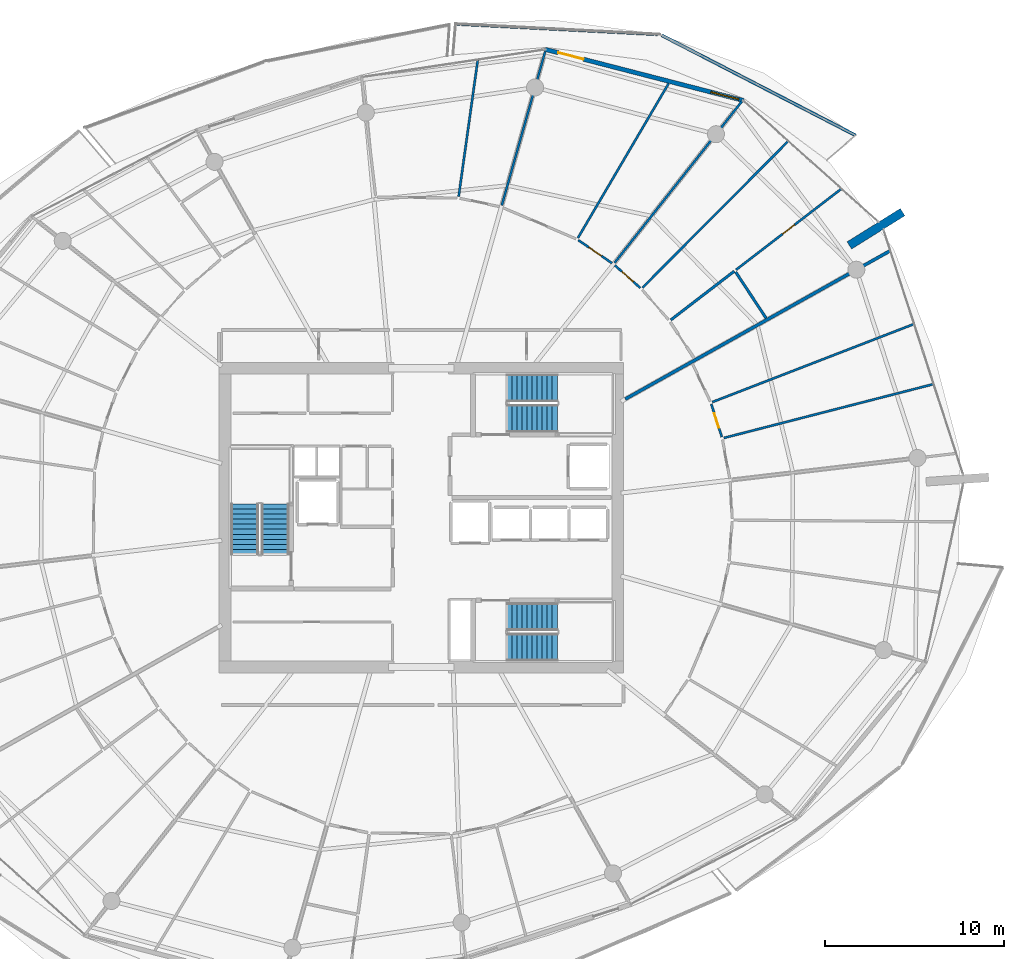
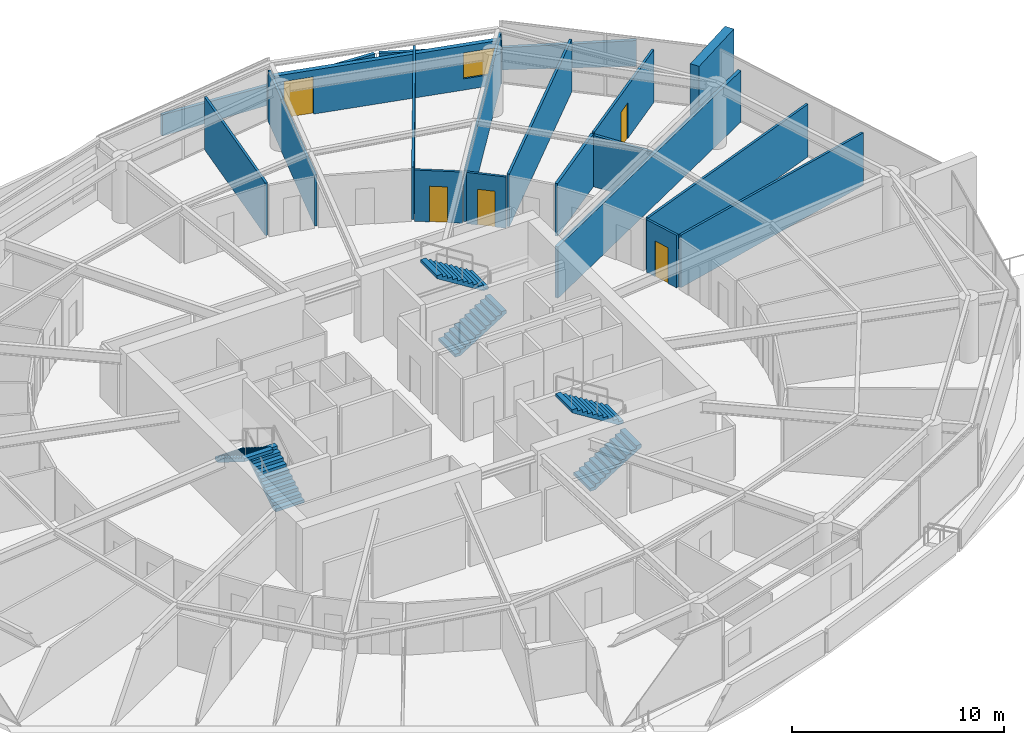
# One storey, part 24 of 31: 18 walls, 6 stair flights, 5 doors, 1 window, 6 openings, 3 elements without a shape of their own.
"""IFC4 building model written with IfcOpenShell, lengths in metres."""

import ifcopenshell
import ifcopenshell.guid

model = None  # the IFC model being written
_history = None  # IfcOwnerHistory: only IFC2X3 demands one
_inside = {}  # id of a spatial element -> (the spatial element, [elements in it])
_under = {}  # id of a project, library or spatial element -> (it, [spatial elements below it])
_declared = {}  # id of a project -> (the project, [libraries it declares])
_typed = {}  # id of a type object -> (the type object, [elements of that type])
_made_of = {}  # id of a material, layer set ... -> (it, [elements and type objects made of it])


def new_model(schema):
    """Start an empty IFC model of exactly this schema.

    Asked for "IFC4X3", IfcOpenShell would pick the latest addendum, in which some entities
    have other attributes; the version numbers below select the first issue.
    IFC2X3 requires an IfcOwnerHistory on every rooted entity: one is made here for all.
    """
    global model, _history
    if schema == "IFC4X3":
        model = ifcopenshell.file(schema_version=(4, 3, 0, 0))
    else:
        model = ifcopenshell.file(schema=schema)
    _inside.clear()
    _under.clear()
    _declared.clear()
    _typed.clear()
    _made_of.clear()
    _history = None
    if model.schema == "IFC2X3":
        org = make("IfcOrganization", Name="unknown")
        user = make(
            "IfcPersonAndOrganization",
            ThePerson=make("IfcPerson", FamilyName="unknown"),
            TheOrganization=org,
        )
        app = make(
            "IfcApplication",
            ApplicationDeveloper=org,
            Version="unknown",
            ApplicationFullName="unknown",
            ApplicationIdentifier="unknown",
        )
        _history = make(
            "IfcOwnerHistory",
            OwningUser=user,
            OwningApplication=app,
            ChangeAction="ADDED",
            CreationDate=0,
        )
    return model


def make(cls, **values):
    """One entity of the class cls with the attributes given. An attribute that is None is left unset."""
    return model.create_entity(
        cls, **{name: value for name, value in values.items() if value is not None}
    )


def rooted(cls, **values):
    """An entity with a GlobalId (a new one), such as an element, a storey or a relation."""
    return make(cls, GlobalId=ifcopenshell.guid.new(), OwnerHistory=_history, **values)


def si_unit(unit_type, name, prefix=None):
    """IfcSIUnit, for example si_unit("LENGTHUNIT", "METRE", prefix="MILLI")."""
    return make("IfcSIUnit", UnitType=unit_type, Prefix=prefix, Name=name)


def assignment(units):
    """IfcUnitAssignment: the units of a project."""
    return None if units is None else make("IfcUnitAssignment", Units=units)


def point(xyz):
    """IfcCartesianPoint."""
    return None if xyz is None else make("IfcCartesianPoint", Coordinates=xyz)


def direction(xyz):
    """IfcDirection."""
    return None if xyz is None else make("IfcDirection", DirectionRatios=xyz)


def frame(location, z_axis=None, x_axis=None):
    """IfcAxis2Placement3D, a coordinate frame: its origin and axes. An axis left out is left unset."""
    return make(
        "IfcAxis2Placement3D",
        Location=point(location),
        Axis=direction(z_axis),
        RefDirection=direction(x_axis),
    )


def frame_2d(location, x_axis=None):
    """IfcAxis2Placement2D, a coordinate frame in the plane: its origin and x axis."""
    return make(
        "IfcAxis2Placement2D", Location=point(location), RefDirection=direction(x_axis)
    )


def origin():
    """The frame at (0, 0, 0) with its axes left unset."""
    return frame((0.0, 0.0, 0.0))


def place(relative_to, where):
    """IfcLocalPlacement: puts the frame where relative to a parent placement (None: the world)."""
    return make(
        "IfcLocalPlacement", PlacementRelTo=relative_to, RelativePlacement=where
    )


def context(
    kind, dimensions, precision=None, world=None, true_north=None, identifier=None
):
    """IfcGeometricRepresentationContext, for example the 3D "Model" context."""
    return make(
        "IfcGeometricRepresentationContext",
        ContextIdentifier=identifier,
        ContextType=kind,
        CoordinateSpaceDimension=dimensions,
        Precision=precision,
        WorldCoordinateSystem=world,
        TrueNorth=true_north,
    )


def subcontext(parent, identifier, kind, view, scale=None):
    """IfcGeometricRepresentationSubContext, for example "Body" below "Model"."""
    return make(
        "IfcGeometricRepresentationSubContext",
        ContextIdentifier=identifier,
        ContextType=kind,
        ParentContext=parent,
        TargetScale=scale,
        TargetView=view,
    )


def project(units=None, contexts=None):
    """IfcProject with its units and contexts."""
    return rooted(
        "IfcProject",
        Name="project",
        RepresentationContexts=contexts,
        UnitsInContext=assignment(units),
    )


def spatial(cls, under=None, at=None, **own):
    """A site, building, storey or space (cls), placed at a placement, below another one or the project."""
    s = rooted(cls, ObjectPlacement=at, **own)
    if under is not None:
        _under.setdefault(under.id(), (under, []))[1].append(s)
    return s


def polyline(points):
    """IfcPolyline through the points."""
    return make("IfcPolyline", Points=[point(p) for p in points])


def profile(cls, at=None, kind="AREA", **sizes):
    """A parametric profile (cls). Its sizes go by their IFC names, for example OverallWidth=200.0."""
    return make(cls, ProfileType=kind, Position=at, **sizes)


def rectangle(**sizes):
    """IfcRectangleProfileDef."""
    return profile("IfcRectangleProfileDef", **sizes)


def outline(outer, holes=None, kind="AREA"):
    """IfcArbitraryClosedProfileDef: a profile drawn as a closed curve; with holes, ...WithVoids."""
    if holes is None:
        return make("IfcArbitraryClosedProfileDef", ProfileType=kind, OuterCurve=outer)
    return make(
        "IfcArbitraryProfileDefWithVoids",
        ProfileType=kind,
        OuterCurve=outer,
        InnerCurves=holes,
    )


def extrude(swept, where, along, depth):
    """IfcExtrudedAreaSolid: the profile swept, set in the frame where, extruded along a direction by depth."""
    return make(
        "IfcExtrudedAreaSolid",
        SweptArea=swept,
        Position=where,
        ExtrudedDirection=direction(along),
        Depth=depth,
    )


def shape(context_of_items, identifier, shape_type, items):
    """IfcShapeRepresentation: the items that make up one representation, for example the "Body"."""
    return make(
        "IfcShapeRepresentation",
        ContextOfItems=context_of_items,
        RepresentationIdentifier=identifier,
        RepresentationType=shape_type,
        Items=items,
    )


def material(Name=None, Category=None):
    """IfcMaterial."""
    return make("IfcMaterial", Name=Name, Category=Category)


def layer(
    of_material, thickness, ventilated=None, Name=None, Category=None, Priority=None
):
    """IfcMaterialLayer: one layer of a wall or slab, of a material (None: an air gap)."""
    return make(
        "IfcMaterialLayer",
        Material=of_material,
        LayerThickness=thickness,
        IsVentilated=ventilated,
        Name=Name,
        Category=Category,
        Priority=Priority,
    )


def layer_set(layers, Name=None):
    """IfcMaterialLayerSet."""
    return make("IfcMaterialLayerSet", MaterialLayers=layers, LayerSetName=Name)


def made_of(thing, what):
    """Note that an element or type object is made of a material, layer set ...; save() writes the relation."""
    if what is not None:
        _made_of.setdefault(what.id(), (what, []))[1].append(thing)
    return thing


def type_object(cls, material=None, **own):
    """A type object (cls), such as IfcWallType, which elements share."""
    return made_of(rooted(cls, **own), material)


def element(
    cls,
    number,
    at=None,
    inside=None,
    cuts=None,
    type_object=None,
    material=None,
    context=None,
    identifier="Body",
    shape_type=None,
    held_by="IfcProductDefinitionShape",
    body=None,
    shapes=None,
    **own,
):
    """One element of the class cls, such as IfcWall. Its Tag is "e" and its number.

    at: its placement. inside: the storey or other place that contains it. cuts: it is an
    opening in that element (IfcRelVoidsElement). A single representation is given by context,
    identifier, shape_type and body (its items); several are given by shapes. held_by: the class
    of the entity that holds the representations. save() writes the other relations.
    """
    e = rooted(cls, Tag="e%d" % number, ObjectPlacement=at, **own)
    if body is not None:
        shapes = [shape(context, identifier, shape_type, body)]
    if shapes is not None:
        e.Representation = make(held_by, Representations=shapes)
    if inside is not None:
        _inside.setdefault(inside.id(), (inside, []))[1].append(e)
    if cuts is not None:
        rooted(
            "IfcRelVoidsElement", RelatingBuildingElement=cuts, RelatedOpeningElement=e
        )
    if type_object is not None:
        _typed.setdefault(type_object.id(), (type_object, []))[1].append(e)
    return made_of(e, material)


def fill(opening, filler):
    """IfcRelFillsElement: the door or window that sits in an opening."""
    return rooted(
        "IfcRelFillsElement",
        RelatingOpeningElement=opening,
        RelatedBuildingElement=filler,
    )


def aggregate(whole, parts):
    """IfcRelAggregates: a whole, such as a stair, and the parts it consists of."""
    return rooted("IfcRelAggregates", RelatingObject=whole, RelatedObjects=parts)


def save(model, path):
    """Write the relations noted so far, then the file.

    IfcRelAggregates (storeys below a building ...), IfcRelContainedInSpatialStructure (elements
    in a storey), IfcRelDefinesByType, IfcRelAssociatesMaterial and IfcRelDeclares: one each for
    every whole, place, type object, material and project.
    """
    for whole, parts in _under.values():
        aggregate(whole, parts)
    for where, things in _inside.values():
        rooted(
            "IfcRelContainedInSpatialStructure",
            RelatedElements=things,
            RelatingStructure=where,
        )
    for kind, things in _typed.values():
        rooted("IfcRelDefinesByType", RelatedObjects=things, RelatingType=kind)
    for what, things in _made_of.values():
        rooted("IfcRelAssociatesMaterial", RelatedObjects=things, RelatingMaterial=what)
    for by, libraries in _declared.values():
        rooted("IfcRelDeclares", RelatingContext=by, RelatedDefinitions=libraries)
    model.write(path)


model = new_model("IFC4")

# Units and contexts
model_context = context("Model", 3, precision=1e-05, world=origin(), true_north=direction((0.0, 1.0)))
body_context = subcontext(model_context, "Body", "Model", "MODEL_VIEW")
ifc_project = project(units=[si_unit("LENGTHUNIT", "METRE"), si_unit("AREAUNIT", "SQUARE_METRE"), si_unit("VOLUMEUNIT", "CUBIC_METRE"), si_unit("PLANEANGLEUNIT", "RADIAN"), si_unit("MASSUNIT", "GRAM", prefix="KILO")], contexts=[model_context])

# Site, building, storey
site_placement = place(None, origin())
site = spatial("IfcSite", under=ifc_project, at=site_placement, CompositionType="ELEMENT")
building_placement = place(site_placement, origin())
building = spatial("IfcBuilding", under=site, at=building_placement, Name="Kazma Halo Residences", CompositionType="ELEMENT")
storey_placement = place(building_placement, frame((0.0, 0.0, 240.550048828125)))
storey = spatial("IfcBuildingStorey", under=building, at=storey_placement, Name="L60", CompositionType="ELEMENT", Elevation=240.550048828125)

# Walls
ifc_material_1 = material(Name="White Concrete C50/60 Balustrade", Category="concrete")
ifc_layer_1 = layer(ifc_material_1, 0.179931640625)
ifc_layer_set_1 = layer_set([ifc_layer_1], Name="White Concrete C50/60 Balustrade")
wall_type_1 = type_object("IfcWallType", Name="WL-BAL-WAVE-180", PredefinedType="PARAPET", material=ifc_layer_set_1)
wall_1_placement = place(storey_placement, frame((72.63720703125, 63.3037109375, 0.0), z_axis=(0.0, 0.0, 1.0), x_axis=(-0.888586869338, 0.458708377556, 0.0)))
element("IfcWall", 1, at=wall_1_placement, inside=storey, type_object=wall_type_1, Name="L60 white wave balustrade wall NE.1", PredefinedType="PARAPET", context=body_context, shape_type="SweptSolid", body=[
    extrude(outline(polyline([(0.0, 0.0), (12.160400390625, 0.0), (12.160400390625, 1.14794921875), (6.080078125, 1.283935546875), (0.0, 1.48291015625), (0.0, 0.0)])), frame((0.0, 0.08984375, 0.0), z_axis=(0.0, -1.0, 0.0), x_axis=(1.0, 0.0, 0.0)), (0.0, 0.0, 1.0), 0.179931640625),
])
wall_2_placement = place(storey_placement, frame((61.605224609375, 68.943115234375, 0.0), z_axis=(0.0, 0.0, 1.0), x_axis=(-0.998675719667, 0.051447127692, 0.0)))
element("IfcWall", 2, at=wall_2_placement, inside=storey, type_object=wall_type_1, Name="L60 white wave balustrade wall NE.2", PredefinedType="PARAPET", context=body_context, shape_type="SweptSolid", body=[
    extrude(outline(polyline([(0.0, 0.0), (11.28466796875, 0.0), (11.284912109375, 1.223876953125), (5.642333984375, 1.126953125), (0.0, 1.14794921875), (0.0, 0.0)])), frame((0.0, 0.08984375, 0.0), z_axis=(0.0, -1.0, 0.0), x_axis=(1.0, 0.0, 0.0)), (0.0, 0.0, 1.0), 0.179931640625),
])
ifc_material_2 = material(Name="Pale Concrete C60/75", Category="concrete")
ifc_layer_2 = layer(ifc_material_2, 0.47998046875)
ifc_layer_set_2 = layer_set([ifc_layer_2], Name="Pale Concrete C60/75")
wall_type_2 = type_object("IfcWallType", Name="WL-BLADE-480", PredefinedType="SOLIDWALL", material=ifc_layer_set_2)
wall_3_placement = place(storey_placement, frame((72.281494140625, 57.172607421875, 0.0), z_axis=(0.0, 0.0, 1.0), x_axis=(0.848033572426, 0.529942506352, 0.0)))
element("IfcWall", 3, at=wall_3_placement, inside=storey, type_object=wall_type_2, Name="L60 pale concrete structural blade fin wall BW-01", PredefinedType="SOLIDWALL", context=body_context, shape_type="SweptSolid", body=[
    extrude(rectangle(XDim=3.5, YDim=0.47998046875, at=frame_2d((1.75, 0.0))), origin(), (0.0, 0.0, 1.0), 3.849853515625),
])
ifc_material_3 = material(Name="Acoustic Twin-Stud Gypsum")
ifc_layer_3 = layer(ifc_material_3, 0.179931640625)
ifc_layer_set_3 = layer_set([ifc_layer_3], Name="Acoustic Twin-Stud Gypsum")
wall_type_3 = type_object("IfcWallType", Name="WL-DEM-180", PredefinedType="PARTITIONING", material=ifc_layer_set_3)
wall_4_placement = place(storey_placement, frame((59.7958984375, 48.60595703125, 0.0), z_axis=(0.0, 0.0, 1.0), x_axis=(0.872493213488, 0.488626229767, 0.0)))
element("IfcWall", 4, at=wall_4_placement, inside=storey, type_object=wall_type_3, Name="L60 apartment demising radial wall 00", PredefinedType="PARTITIONING", context=body_context, shape_type="SweptSolid", body=[
    extrude(rectangle(XDim=16.91015625, YDim=0.179931640625, at=frame_2d((8.455078125, 0.0))), origin(), (0.0, 0.0, 1.0), 2.95703125),
])

# Wall, openings, door, window
ifc_material_4 = material(Name="Insulated Pale-Metal Composite Wall")
ifc_layer_4 = layer(ifc_material_4, 0.239990234375)
ifc_layer_set_4 = layer_set([ifc_layer_4], Name="Insulated Pale-Metal Composite Wall")
wall_type_4 = type_object("IfcWallType", Name="WL-EXT-HOST-240", PredefinedType="SOLIDWALL", material=ifc_layer_set_4)
wall_5_placement = place(storey_placement, frame((66.386474609375, 65.2490234375, 0.0), z_axis=(0.0, 0.0, 1.0), x_axis=(-0.968343758421, 0.249620442927, 0.0)))
wall_5 = element("IfcWall", 5, at=wall_5_placement, inside=storey, type_object=wall_type_4, Name="L60 exterior terrace-access wall B02", PredefinedType="SOLIDWALL", context=body_context, shape_type="SweptSolid", body=[
    extrude(rectangle(XDim=11.438232421875, YDim=0.239990234375, at=frame_2d((5.71923828125, 0.0))), origin(), (0.0, 0.0, 1.0), 2.5400390625),
])
opening_1_placement = place(wall_5_placement, frame((9.21826171875, 0.0, 0.0)))
opening_1 = element("IfcOpeningElement", 6, at=opening_1_placement, cuts=wall_5, Name="Opening DTR-1600", PredefinedType="OPENING", context=body_context, shape_type="SweptSolid", body=[
    extrude(rectangle(XDim=1.449951171875, YDim=2.14990234375, at=frame_2d((0.72509765625, 1.074951171875))), frame((0.0, 0.1298828125, 0.0), z_axis=(0.0, -1.0, 0.0), x_axis=(1.0, 0.0, 0.0)), (0.0, 0.0, 1.0), 0.260009765625),
])
opening_2_placement = place(wall_5_placement, frame((0.280029296875, 0.0, 0.64990234375)))
opening_2 = element("IfcOpeningElement", 7, at=opening_2_placement, cuts=wall_5, Name="Opening W-1800", PredefinedType="OPENING", context=body_context, shape_type="SweptSolid", body=[
    extrude(rectangle(XDim=1.60009765625, YDim=1.5, at=frame_2d((0.800048828125, 0.75))), frame((0.0, 0.1298828125, 0.0), z_axis=(0.0, -1.0, 0.0), x_axis=(1.0, 0.0, 0.0)), (0.0, 0.0, 1.0), 0.260009765625),
])
ifc_material_5 = material(Name="Aluminium AW-6063 T6 Double-Glazed Terrace Door", Category="aluminium")
door_type_1 = type_object("IfcDoorType", Name="DR-EXT-TERR-1600", OperationType="NOTDEFINED", PredefinedType="DOOR", material=ifc_material_5)
door_1_placement = place(opening_1_placement, origin())
door_1 = element("IfcDoor", 8, at=door_1_placement, inside=storey, type_object=door_type_1, Name="L60 B02 balcony terrace door", OperationType="DOUBLE_DOOR_SLIDING", OverallHeight=2.14990234375, OverallWidth=1.449951171875, PredefinedType="DOOR", context=body_context, shape_type="SweptSolid", body=[
    extrude(rectangle(XDim=1.449951171875, YDim=2.14990234375, at=frame_2d((0.72509765625, 1.074951171875))), frame((0.0, 0.02490234375, 0.0), z_axis=(0.0, -1.0, 0.0), x_axis=(1.0, 0.0, 0.0)), (0.0, 0.0, 1.0), 0.050048828125),
])
fill(opening_1, door_1)
ifc_material_6 = material(Name="Clear Triple-Silver Low-E Glass in Aluminium AW-6063 T6 Frame", Category="aluminium")
window_type = type_object("IfcWindowType", Name="WIN-RES-1800", PartitioningType="DOUBLE_PANEL_VERTICAL", PredefinedType="WINDOW", material=ifc_material_6)
window_placement = place(opening_2_placement, origin())
window = element("IfcWindow", 9, at=window_placement, inside=storey, type_object=window_type, Name="L60 B02 apartment window", OverallHeight=1.5, OverallWidth=1.60009765625, PartitioningType="SINGLE_PANEL", PredefinedType="WINDOW", context=body_context, shape_type="SweptSolid", body=[
    extrude(rectangle(XDim=1.60009765625, YDim=1.5, at=frame_2d((0.800048828125, 0.75))), frame((0.0, 0.030029296875, 0.0), z_axis=(0.0, -1.0, 0.0), x_axis=(1.0, 0.0, 0.0)), (0.0, 0.0, 1.0), 0.06005859375),
])
fill(opening_2, window)

# Wall, opening, door
ifc_material_7 = material(Name="Gypsum Plasterboard Partition")
ifc_layer_5 = layer(ifc_material_7, 0.125)
ifc_layer_set_5 = layer_set([ifc_layer_5], Name="Gypsum Plasterboard Partition")
wall_type_5 = type_object("IfcWallType", Name="WL-PART-125", PredefinedType="PARTITIONING", material=ifc_layer_set_5)
wall_6_placement = place(storey_placement, frame((65.97021484375, 55.815185546875, 0.0), z_axis=(0.0, 0.0, 1.0), x_axis=(0.792798660545, 0.609483620647, 0.0)))
wall_6 = element("IfcWall", 10, at=wall_6_placement, inside=storey, type_object=wall_type_5, Name="L60 Apartment 1 Household Store Room partition wall", PredefinedType="PARTITIONING", context=body_context, shape_type="SweptSolid", body=[
    extrude(rectangle(XDim=7.376953125, YDim=0.125, at=frame_2d((3.6884765625, 0.0))), origin(), (0.0, 0.0, 1.0), 3.030029296875),
])
opening_3_placement = place(wall_6_placement, frame((3.263427734375, 0.0, 0.0)))
opening_3 = element("IfcOpeningElement", 11, at=opening_3_placement, cuts=wall_6, Name="Opening DB-900", PredefinedType="OPENING", context=body_context, shape_type="SweptSolid", body=[
    extrude(rectangle(XDim=0.85009765625, YDim=2.06005859375, at=frame_2d((0.425048828125, 1.030029296875))), frame((0.0, 0.072509765625, 0.0), z_axis=(0.0, -1.0, 0.0), x_axis=(1.0, 0.0, 0.0)), (0.0, 0.0, 1.0), 0.14501953125),
])
ifc_material_8 = material(Name="Moisture-Sealed Timber Leaf", Category="wood")
door_type_2 = type_object("IfcDoorType", Name="DR-BTH-900", OperationType="NOTDEFINED", PredefinedType="DOOR", material=ifc_material_8)
door_2_placement = place(opening_3_placement, origin())
door_2 = element("IfcDoor", 12, at=door_2_placement, inside=storey, type_object=door_type_2, Name="L60 Apartment 1 Household Store Room door", OperationType="SINGLE_SWING_RIGHT", OverallHeight=2.06005859375, OverallWidth=0.85009765625, PredefinedType="DOOR", context=body_context, shape_type="SweptSolid", body=[
    extrude(rectangle(XDim=0.85009765625, YDim=2.06005859375, at=frame_2d((0.425048828125, 1.030029296875))), frame((0.0, 0.02490234375, 0.0), z_axis=(0.0, -1.0, 0.0), x_axis=(1.0, 0.0, 0.0)), (0.0, 0.0, 1.0), 0.050048828125),
])
fill(opening_3, door_2)

# Wall
wall_7_placement = place(storey_placement, frame((60.749267578125, 54.8154296875, 0.0), z_axis=(0.0, 0.0, 1.0), x_axis=(0.705267705861, 0.708941085753, 0.0)))
element("IfcWall", 13, at=wall_7_placement, inside=storey, type_object=wall_type_5, Name="L60 Apartment 1 suite divider 0", PredefinedType="PARTITIONING", context=body_context, shape_type="SweptSolid", body=[
    extrude(rectangle(XDim=11.498046875, YDim=0.125, at=frame_2d((5.7490234375, 0.0))), origin(), (0.0, 0.0, 1.0), 3.030029296875),
])

# Wall, opening, door
wall_8_placement = place(storey_placement, frame((60.6259765625, 54.8046875, 0.0), z_axis=(0.0, 0.0, 1.0), x_axis=(-0.748419746602, 0.663225363581, 0.0)))
wall_8 = element("IfcWall", 14, at=wall_8_placement, inside=storey, type_object=wall_type_5, Name="L60 Apartment 1 Primary Bedroom hall wall", PredefinedType="PARTITIONING", context=body_context, shape_type="SweptSolid", body=[
    extrude(rectangle(XDim=1.891357421875, YDim=0.125, at=frame_2d((0.94580078125, 0.0))), origin(), (0.0, 0.0, 1.0), 2.95703125),
])
opening_4_placement = place(wall_8_placement, frame((0.520751953125, 0.0, 0.0)))
opening_4 = element("IfcOpeningElement", 15, at=opening_4_placement, cuts=wall_8, Name="Opening DB-900", PredefinedType="OPENING", context=body_context, shape_type="SweptSolid", body=[
    extrude(rectangle(XDim=0.85009765625, YDim=2.06005859375, at=frame_2d((0.425048828125, 1.030029296875))), frame((0.0, 0.072509765625, 0.0), z_axis=(0.0, -1.0, 0.0), x_axis=(1.0, 0.0, 0.0)), (0.0, 0.0, 1.0), 0.14501953125),
])
door_3_placement = place(opening_4_placement, origin())
door_3 = element("IfcDoor", 16, at=door_3_placement, inside=storey, type_object=door_type_2, Name="L60 Apartment 1 Primary Bedroom door", OperationType="SINGLE_SWING_RIGHT", OverallHeight=2.06005859375, OverallWidth=0.85009765625, PredefinedType="DOOR", context=body_context, shape_type="SweptSolid", body=[
    extrude(rectangle(XDim=0.85009765625, YDim=2.06005859375, at=frame_2d((0.425048828125, 1.030029296875))), frame((0.0, 0.02490234375, 0.0), z_axis=(0.0, -1.0, 0.0), x_axis=(1.0, 0.0, 0.0)), (0.0, 0.0, 1.0), 0.050048828125),
])
fill(opening_4, door_3)

# Walls
wall_9_placement = place(storey_placement, frame((59.197509765625, 56.2041015625, 0.0), z_axis=(0.0, 0.0, 1.0), x_axis=(0.619101452742, 0.785311015593, 0.0)))
element("IfcWall", 17, at=wall_9_placement, inside=storey, type_object=wall_type_5, Name="L60 Apartment 1 radial partition 1", PredefinedType="PARTITIONING", context=body_context, shape_type="SweptSolid", body=[
    extrude(rectangle(XDim=11.508544921875, YDim=0.125, at=frame_2d((5.75439453125, 0.0))), origin(), (0.0, 0.0, 1.0), 2.95703125),
])
wall_10_placement = place(storey_placement, frame((57.153076171875, 57.58837890625, 0.0), z_axis=(0.0, 0.0, 1.0), x_axis=(0.506323477253, 0.862343630105, 0.0)))
element("IfcWall", 18, at=wall_10_placement, inside=storey, type_object=wall_type_5, Name="L60 Apartment 1 mid-bay wall 1", PredefinedType="PARTITIONING", context=body_context, shape_type="SweptSolid", body=[
    extrude(rectangle(XDim=9.988037109375, YDim=0.125, at=frame_2d((4.994140625, 0.0))), origin(), (0.0, 0.0, 1.0), 3.030029296875),
])

# Wall, opening, door
wall_11_placement = place(storey_placement, frame((59.052978515625, 56.181884765625, 0.0), z_axis=(0.0, 0.0, 1.0), x_axis=(-0.825709590898, 0.56409544538, 0.0)))
wall_11 = element("IfcWall", 19, at=wall_11_placement, inside=storey, type_object=wall_type_5, Name="L60 Apartment 1 East Wine Pantry Store hall wall", PredefinedType="PARTITIONING", context=body_context, shape_type="SweptSolid", body=[
    extrude(rectangle(XDim=2.276123046875, YDim=0.125, at=frame_2d((1.13818359375, 0.0))), origin(), (0.0, 0.0, 1.0), 2.95703125),
])
opening_5_placement = place(wall_11_placement, frame((0.713134765625, 0.0, 0.0)))
opening_5 = element("IfcOpeningElement", 20, at=opening_5_placement, cuts=wall_11, Name="Opening DB-900", PredefinedType="OPENING", context=body_context, shape_type="SweptSolid", body=[
    extrude(rectangle(XDim=0.85009765625, YDim=2.06005859375, at=frame_2d((0.425048828125, 1.030029296875))), frame((0.0, 0.072509765625, 0.0), z_axis=(0.0, -1.0, 0.0), x_axis=(1.0, 0.0, 0.0)), (0.0, 0.0, 1.0), 0.14501953125),
])
door_4_placement = place(opening_5_placement, origin())
door_4 = element("IfcDoor", 21, at=door_4_placement, inside=storey, type_object=door_type_2, Name="L60 Apartment 1 East Wine Pantry Store door", OperationType="SINGLE_SWING_RIGHT", OverallHeight=2.06005859375, OverallWidth=0.85009765625, PredefinedType="DOOR", context=body_context, shape_type="SweptSolid", body=[
    extrude(rectangle(XDim=0.85009765625, YDim=2.06005859375, at=frame_2d((0.425048828125, 1.030029296875))), frame((0.0, 0.02490234375, 0.0), z_axis=(0.0, -1.0, 0.0), x_axis=(1.0, 0.0, 0.0)), (0.0, 0.0, 1.0), 0.050048828125),
])
fill(opening_5, door_4)

# Walls
wall_12_placement = place(storey_placement, frame((52.909423828125, 59.407958984375, 0.0), z_axis=(0.0, 0.0, 1.0), x_axis=(0.271454299549, 0.962451330331, 0.0)))
element("IfcWall", 22, at=wall_12_placement, inside=storey, type_object=wall_type_5, Name="L60 Apartment 1 radial partition 2", PredefinedType="PARTITIONING", context=body_context, shape_type="SweptSolid", body=[
    extrude(rectangle(XDim=8.8974609375, YDim=0.125, at=frame_2d((4.44873046875, 0.0))), origin(), (0.0, 0.0, 1.0), 2.95703125),
])
wall_13_placement = place(storey_placement, frame((50.5048828125, 59.902587890625, 0.0), z_axis=(0.0, 0.0, 1.0), x_axis=(0.138550424847, 0.990355380545, 0.0)))
element("IfcWall", 23, at=wall_13_placement, inside=storey, type_object=wall_type_5, Name="L60 Apartment 1 mid-bay wall 2", PredefinedType="PARTITIONING", context=body_context, shape_type="SweptSolid", body=[
    extrude(rectangle(XDim=7.668701171875, YDim=0.125, at=frame_2d((3.83447265625, 0.0))), origin(), (0.0, 0.0, 1.0), 3.030029296875),
])
wall_14_placement = place(storey_placement, frame((65.286376953125, 46.4384765625, 0.0), z_axis=(0.0, 0.0, 1.0), x_axis=(0.968583991447, 0.248686653265, 0.0)))
element("IfcWall", 24, at=wall_14_placement, inside=storey, type_object=wall_type_5, Name="L60 Apartment 2 bay wall 1 15", PredefinedType="PARTITIONING", context=body_context, shape_type="SweptSolid", body=[
    extrude(rectangle(XDim=12.056396484375, YDim=0.125, at=frame_2d((6.0283203125, 0.0))), origin(), (0.0, 0.0, 1.0), 3.030029296875),
])
wall_15_placement = place(storey_placement, frame((64.644775390625, 48.439453125, 0.0), z_axis=(0.0, 0.0, 1.0), x_axis=(0.93263897003, 0.360810963778, 0.0)))
element("IfcWall", 25, at=wall_15_placement, inside=storey, type_object=wall_type_5, Name="L60 Apartment 2 bay wall 2 15", PredefinedType="PARTITIONING", context=body_context, shape_type="SweptSolid", body=[
    extrude(rectangle(XDim=12.04296875, YDim=0.125, at=frame_2d((6.021484375, 0.0))), origin(), (0.0, 0.0, 1.0), 3.030029296875),
])

# Wall, opening, door
wall_16_placement = place(storey_placement, frame((65.1748046875, 46.4921875, 0.0), z_axis=(0.0, 0.0, 1.0), x_axis=(-0.305358332679, 0.952237516938, 0.0)))
wall_16 = element("IfcWall", 26, at=wall_16_placement, inside=storey, type_object=wall_type_5, Name="L60 Apartment 2 West Dressing Wardrobe hall wall", PredefinedType="PARTITIONING", context=body_context, shape_type="SweptSolid", body=[
    extrude(rectangle(XDim=1.930908203125, YDim=0.125, at=frame_2d((0.96533203125, 0.0))), origin(), (0.0, 0.0, 1.0), 3.030029296875),
])
opening_6_placement = place(wall_16_placement, frame((0.540283203125, 0.0, 0.0)))
opening_6 = element("IfcOpeningElement", 27, at=opening_6_placement, cuts=wall_16, Name="Opening DB-900", PredefinedType="OPENING", context=body_context, shape_type="SweptSolid", body=[
    extrude(rectangle(XDim=0.85009765625, YDim=2.06005859375, at=frame_2d((0.425048828125, 1.030029296875))), frame((0.0, 0.072509765625, 0.0), z_axis=(0.0, -1.0, 0.0), x_axis=(1.0, 0.0, 0.0)), (0.0, 0.0, 1.0), 0.14501953125),
])
door_5_placement = place(opening_6_placement, origin())
door_5 = element("IfcDoor", 28, at=door_5_placement, inside=storey, type_object=door_type_2, Name="L60 Apartment 2 West Dressing Wardrobe door", OperationType="SINGLE_SWING_RIGHT", OverallHeight=2.06005859375, OverallWidth=0.85009765625, PredefinedType="DOOR", context=body_context, shape_type="SweptSolid", body=[
    extrude(rectangle(XDim=0.85009765625, YDim=2.06005859375, at=frame_2d((0.425048828125, 1.030029296875))), frame((0.0, 0.02490234375, 0.0), z_axis=(0.0, -1.0, 0.0), x_axis=(1.0, 0.0, 0.0)), (0.0, 0.0, 1.0), 0.050048828125),
])
fill(opening_6, door_5)

# Walls
ifc_material_9 = material(Name="Moisture-Resistant Gypsum")
ifc_layer_6 = layer(ifc_material_9, 0.14990234375)
ifc_layer_set_6 = layer_set([ifc_layer_6], Name="Moisture-Resistant Gypsum")
wall_type_6 = type_object("IfcWallType", Name="WL-WET-150", PredefinedType="PARTITIONING", material=ifc_layer_set_6)
wall_17_placement = place(storey_placement, frame((67.643310546875, 53.114990234375, 0.0), z_axis=(0.0, 0.0, 1.0), x_axis=(-0.550484224605, 0.834845565635, 0.0)))
element("IfcWall", 29, at=wall_17_placement, inside=storey, type_object=wall_type_6, Name="L60 Apartment 1 Guest Bathroom back wall", PredefinedType="PARTITIONING", context=body_context, shape_type="SweptSolid", body=[
    extrude(rectangle(XDim=3.078857421875, YDim=0.14990234375, at=frame_2d((1.53955078125, 0.0))), origin(), (0.0, 0.0, 1.0), 2.95703125),
])
wall_18_placement = place(storey_placement, frame((62.331298828125, 53.017822265625, 0.0), z_axis=(0.0, 0.0, 1.0), x_axis=(0.792803030826, 0.609477935871, 0.0)))
element("IfcWall", 30, at=wall_18_placement, inside=storey, type_object=wall_type_6, Name="L60 Apartment 1 Guest Bathroom side wall", PredefinedType="PARTITIONING", context=body_context, shape_type="SweptSolid", body=[
    extrude(rectangle(XDim=4.4599609375, YDim=0.14990234375, at=frame_2d((2.22998046875, 0.0))), origin(), (0.0, 0.0, 1.0), 3.030029296875),
])

# Stair, stair flights
ifc_material_10 = material(Name="Concrete C50/60", Category="concrete")
stair_type = type_object("IfcStairType", Name="STR-RES2", PredefinedType="HALF_TURN_STAIR", material=ifc_material_10)
stair_1_placement = place(storey_placement, origin())
stair_1 = element("IfcStair", 31, at=stair_1_placement, inside=storey, type_object=stair_type, Name="L60 Core exit stair ST-01", PredefinedType="HALF_TURN_STAIR")
stair_flight_type = type_object("IfcStairFlightType", Name="STR-RES2-FLT", PredefinedType="STRAIGHT", material=ifc_material_10)
stair_flight_1_placement = place(storey_placement, frame((40.27490234375, 39.949951171875, 0.0), z_axis=(0.0, 0.0, 1.0), x_axis=(0.0, 1.0, 0.0)))
stair_flight_1 = element("IfcStairFlight", 32, at=stair_flight_1_placement, type_object=stair_flight_type, Name="ST-01 flight 1", NumberOfRisers=11, NumberOfTreads=10, PredefinedType="STRAIGHT", RiserHeight=0.175, TreadLength=0.28, context=body_context, shape_type="SweptSolid", body=[
    extrude(outline(polyline([(0.0, 0.0), (0.0, 0.175048828125), (0.280029296875, 0.175048828125), (0.280029296875, 0.35009765625), (0.56005859375, 0.35009765625), (0.56005859375, 0.52490234375), (0.840087890625, 0.52490234375), (0.840087890625, 0.699951171875), (1.1201171875, 0.699951171875), (1.1201171875, 0.875), (1.39990234375, 0.875), (1.39990234375, 1.050048828125), (1.679931640625, 1.050048828125), (1.679931640625, 1.22509765625), (1.9599609375, 1.22509765625), (1.9599609375, 1.39990234375), (2.239990234375, 1.39990234375), (2.239990234375, 1.574951171875), (2.52001953125, 1.574951171875), (2.52001953125, 1.75), (2.800048828125, 1.75), (2.800048828125, 1.925048828125), (2.800048828125, 1.5732421875), (0.28271484375, 0.0), (0.0, 0.0)])), frame((0.0, 0.77490234375, 0.0), z_axis=(0.0, -1.0, 0.0), x_axis=(1.0, 0.0, 0.0)), (0.0, 0.0, 1.0), 1.550048828125),
])
stair_flight_2_placement = place(storey_placement, frame((38.574951171875, 42.75, 1.925048828125), z_axis=(0.0, 0.0, 1.0), x_axis=(0.0, -1.0, 0.0)))
stair_flight_2 = element("IfcStairFlight", 33, at=stair_flight_2_placement, type_object=stair_flight_type, Name="ST-01 flight 2", NumberOfRisers=11, NumberOfTreads=10, PredefinedType="STRAIGHT", RiserHeight=0.175, TreadLength=0.28, context=body_context, shape_type="SweptSolid", body=[
    extrude(outline(polyline([(0.0, 0.0), (0.0, 0.175048828125), (0.280029296875, 0.175048828125), (0.280029296875, 0.35009765625), (0.56005859375, 0.35009765625), (0.56005859375, 0.52490234375), (0.840087890625, 0.52490234375), (0.840087890625, 0.699951171875), (1.1201171875, 0.699951171875), (1.1201171875, 0.875), (1.39990234375, 0.875), (1.39990234375, 1.050048828125), (1.679931640625, 1.050048828125), (1.679931640625, 1.22509765625), (1.9599609375, 1.22509765625), (1.9599609375, 1.39990234375), (2.239990234375, 1.39990234375), (2.239990234375, 1.574951171875), (2.52001953125, 1.574951171875), (2.52001953125, 1.75), (2.800048828125, 1.75), (2.800048828125, 1.925048828125), (2.800048828125, 1.5732421875), (0.28271484375, 0.0), (0.0, 0.0)])), frame((0.0, 0.77490234375, 0.0), z_axis=(0.0, -1.0, 0.0), x_axis=(1.0, 0.0, 0.0)), (0.0, 0.0, 1.0), 1.550048828125),
])
aggregate(stair_1, [stair_flight_1, stair_flight_2])

stair_2_placement = place(storey_placement, origin())
stair_2 = element("IfcStair", 34, at=stair_2_placement, inside=storey, type_object=stair_type, Name="L60 Core exit stair ST-02", PredefinedType="HALF_TURN_STAIR")
stair_flight_3_placement = place(storey_placement, frame((53.199951171875, 47.52490234375, 0.0), z_axis=(0.0, 0.0, 1.0), x_axis=(1.0, 0.0, 0.0)))
stair_flight_3 = element("IfcStairFlight", 35, at=stair_flight_3_placement, type_object=stair_flight_type, Name="ST-02 flight 1", NumberOfRisers=11, NumberOfTreads=10, PredefinedType="STRAIGHT", RiserHeight=0.175, TreadLength=0.28, context=body_context, shape_type="SweptSolid", body=[
    extrude(outline(polyline([(0.0, 0.0), (0.0, 0.175048828125), (0.280029296875, 0.175048828125), (0.280029296875, 0.35009765625), (0.56005859375, 0.35009765625), (0.56005859375, 0.52490234375), (0.840087890625, 0.52490234375), (0.840087890625, 0.699951171875), (1.1201171875, 0.699951171875), (1.1201171875, 0.875), (1.39990234375, 0.875), (1.39990234375, 1.050048828125), (1.679931640625, 1.050048828125), (1.679931640625, 1.22509765625), (1.9599609375, 1.22509765625), (1.9599609375, 1.39990234375), (2.239990234375, 1.39990234375), (2.239990234375, 1.574951171875), (2.52001953125, 1.574951171875), (2.52001953125, 1.75), (2.800048828125, 1.75), (2.800048828125, 1.925048828125), (2.800048828125, 1.5732421875), (0.28271484375, 0.0), (0.0, 0.0)])), frame((0.0, 0.77490234375, 0.0), z_axis=(0.0, -1.0, 0.0), x_axis=(1.0, 0.0, 0.0)), (0.0, 0.0, 1.0), 1.550048828125),
])
stair_flight_4_placement = place(storey_placement, frame((56.0, 49.22509765625, 1.925048828125), z_axis=(0.0, 0.0, 1.0), x_axis=(-1.0, 0.0, 0.0)))
stair_flight_4 = element("IfcStairFlight", 36, at=stair_flight_4_placement, type_object=stair_flight_type, Name="ST-02 flight 2", NumberOfRisers=11, NumberOfTreads=10, PredefinedType="STRAIGHT", RiserHeight=0.175, TreadLength=0.28, context=body_context, shape_type="SweptSolid", body=[
    extrude(outline(polyline([(0.0, 0.0), (0.0, 0.175048828125), (0.280029296875, 0.175048828125), (0.280029296875, 0.35009765625), (0.56005859375, 0.35009765625), (0.56005859375, 0.52490234375), (0.840087890625, 0.52490234375), (0.840087890625, 0.699951171875), (1.1201171875, 0.699951171875), (1.1201171875, 0.875), (1.39990234375, 0.875), (1.39990234375, 1.050048828125), (1.679931640625, 1.050048828125), (1.679931640625, 1.22509765625), (1.9599609375, 1.22509765625), (1.9599609375, 1.39990234375), (2.239990234375, 1.39990234375), (2.239990234375, 1.574951171875), (2.52001953125, 1.574951171875), (2.52001953125, 1.75), (2.800048828125, 1.75), (2.800048828125, 1.925048828125), (2.800048828125, 1.5732421875), (0.28271484375, 0.0), (0.0, 0.0)])), frame((0.0, 0.77490234375, 0.0), z_axis=(0.0, -1.0, 0.0), x_axis=(1.0, 0.0, 0.0)), (0.0, 0.0, 1.0), 1.550048828125),
])
aggregate(stair_2, [stair_flight_3, stair_flight_4])

stair_3_placement = place(storey_placement, origin())
stair_3 = element("IfcStair", 37, at=stair_3_placement, inside=storey, type_object=stair_type, Name="L60 Core exit stair ST-03", PredefinedType="HALF_TURN_STAIR")
stair_flight_5_placement = place(storey_placement, frame((53.199951171875, 34.77490234375, 0.0), z_axis=(0.0, 0.0, 1.0), x_axis=(1.0, 0.0, 0.0)))
stair_flight_5 = element("IfcStairFlight", 38, at=stair_flight_5_placement, type_object=stair_flight_type, Name="ST-03 flight 1", NumberOfRisers=11, NumberOfTreads=10, PredefinedType="STRAIGHT", RiserHeight=0.175, TreadLength=0.28, context=body_context, shape_type="SweptSolid", body=[
    extrude(outline(polyline([(0.0, 0.0), (0.0, 0.175048828125), (0.280029296875, 0.175048828125), (0.280029296875, 0.35009765625), (0.56005859375, 0.35009765625), (0.56005859375, 0.52490234375), (0.840087890625, 0.52490234375), (0.840087890625, 0.699951171875), (1.1201171875, 0.699951171875), (1.1201171875, 0.875), (1.39990234375, 0.875), (1.39990234375, 1.050048828125), (1.679931640625, 1.050048828125), (1.679931640625, 1.22509765625), (1.9599609375, 1.22509765625), (1.9599609375, 1.39990234375), (2.239990234375, 1.39990234375), (2.239990234375, 1.574951171875), (2.52001953125, 1.574951171875), (2.52001953125, 1.75), (2.800048828125, 1.75), (2.800048828125, 1.925048828125), (2.800048828125, 1.5732421875), (0.28271484375, 0.0), (0.0, 0.0)])), frame((0.0, 0.77490234375, 0.0), z_axis=(0.0, -1.0, 0.0), x_axis=(1.0, 0.0, 0.0)), (0.0, 0.0, 1.0), 1.550048828125),
])
stair_flight_6_placement = place(storey_placement, frame((56.0, 36.47509765625, 1.925048828125), z_axis=(0.0, 0.0, 1.0), x_axis=(-1.0, 0.0, 0.0)))
stair_flight_6 = element("IfcStairFlight", 39, at=stair_flight_6_placement, type_object=stair_flight_type, Name="ST-03 flight 2", NumberOfRisers=11, NumberOfTreads=10, PredefinedType="STRAIGHT", RiserHeight=0.175, TreadLength=0.28, context=body_context, shape_type="SweptSolid", body=[
    extrude(outline(polyline([(0.0, 0.0), (0.0, 0.175048828125), (0.280029296875, 0.175048828125), (0.280029296875, 0.35009765625), (0.56005859375, 0.35009765625), (0.56005859375, 0.52490234375), (0.840087890625, 0.52490234375), (0.840087890625, 0.699951171875), (1.1201171875, 0.699951171875), (1.1201171875, 0.875), (1.39990234375, 0.875), (1.39990234375, 1.050048828125), (1.679931640625, 1.050048828125), (1.679931640625, 1.22509765625), (1.9599609375, 1.22509765625), (1.9599609375, 1.39990234375), (2.239990234375, 1.39990234375), (2.239990234375, 1.574951171875), (2.52001953125, 1.574951171875), (2.52001953125, 1.75), (2.800048828125, 1.75), (2.800048828125, 1.925048828125), (2.800048828125, 1.5732421875), (0.28271484375, 0.0), (0.0, 0.0)])), frame((0.0, 0.77490234375, 0.0), z_axis=(0.0, -1.0, 0.0), x_axis=(1.0, 0.0, 0.0)), (0.0, 0.0, 1.0), 1.550048828125),
])
aggregate(stair_3, [stair_flight_5, stair_flight_6])

save(model, "model.ifc")
